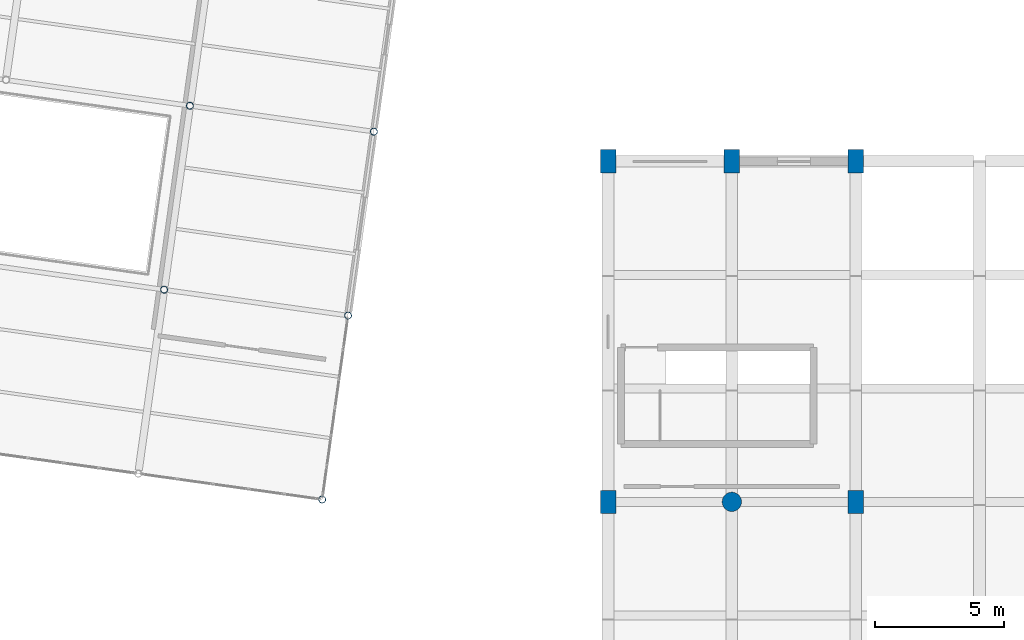
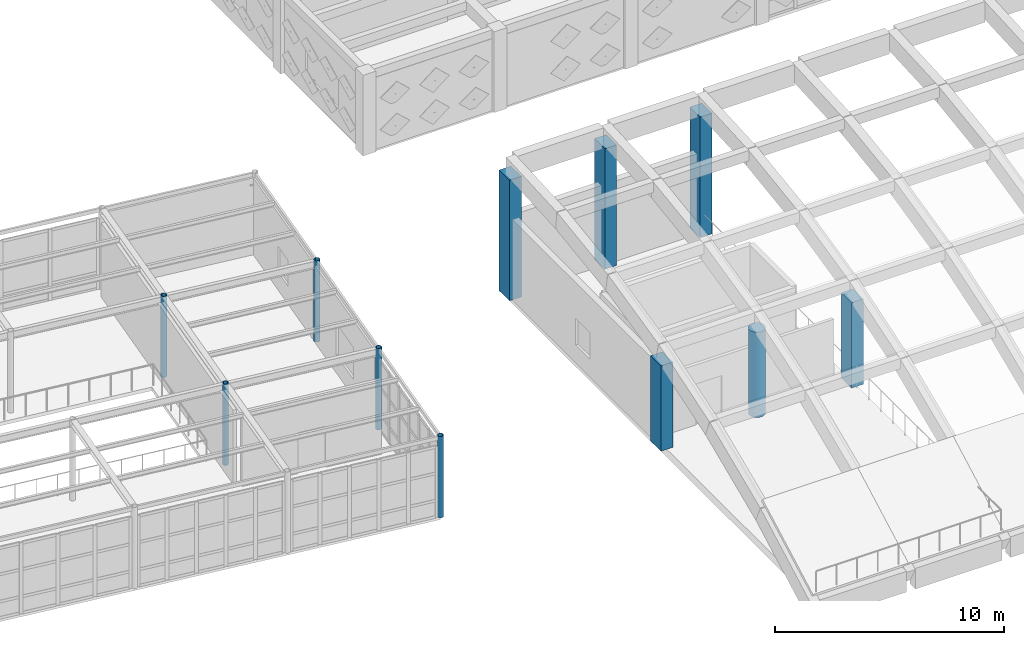
# One storey, part 3 of 67: 11 columns.
"""IFC4 building model written with IfcOpenShell, lengths in metres."""

from ifc_helpers import new_model, si_unit, direction, frame, origin, origin_2d, place, context, subcontext, project, spatial, rectangle, circle, hollow_circle, extrude, material, material_profile, profile_set, type_object, element, save


model = new_model("IFC4")

# Units and contexts
model_context = context("Model", 3, precision=1e-05, world=origin(), true_north=direction((0.0, 1.0)))
body_context = subcontext(model_context, "Body", "Model", "MODEL_VIEW")
ifc_project = project(units=[si_unit("LENGTHUNIT", "METRE"), si_unit("AREAUNIT", "SQUARE_METRE"), si_unit("VOLUMEUNIT", "CUBIC_METRE"), si_unit("PLANEANGLEUNIT", "RADIAN"), si_unit("MASSUNIT", "GRAM", prefix="KILO")], contexts=[model_context])

# Site, building, storey
site_placement = place(None, origin())
site = spatial("IfcSite", under=ifc_project, at=site_placement, CompositionType="ELEMENT")
building_placement = place(site_placement, origin())
building = spatial("IfcBuilding", under=site, at=building_placement, Name="Kharisveld Research Institute", CompositionType="ELEMENT")
storey_placement = place(building_placement, frame((0.0, 0.0, 9.60009765625)))
storey = spatial("IfcBuildingStorey", under=building, at=storey_placement, Name="L02", CompositionType="ELEMENT", Elevation=9.60009765625)

# Columns
ifc_material_1 = material(Name="Concrete C40/50", Category="concrete")
ifc_material_profile_1 = material_profile(ifc_material_1, rectangle(XDim=0.60009765625, YDim=0.89990234375, at=origin_2d()))
ifc_profile_set_1 = profile_set([ifc_material_profile_1], Name="Concrete C40/50")
column_type_1 = type_object("IfcColumnType", Name="COL_RC_600x900", PredefinedType="COLUMN", material=ifc_profile_set_1)
column_1_placement = place(storey_placement, frame((114.60009765625, 13.39990234375, 0.0), z_axis=(0.0, 0.0, 1.0), x_axis=(1.0, 0.0, 0.0)))
element("IfcColumn", 1, at=column_1_placement, inside=storey, type_object=column_type_1, Name="COL:V5:L02:U0V1", PredefinedType="COLUMN", context=body_context, shape_type="SweptSolid", body=[
    extrude(rectangle(XDim=0.60009765625, YDim=0.89990234375, at=origin_2d()), origin(), (0.0, 0.0, 1.0), 4.5390625),
])
for number, where, z_axis, x_axis, name in (
    (2, (114.60009765625, 26.60009765625, 0.0), (0.0, 0.0, 1.0), (1.0, 0.0, 0.0), "COL:V5:L02:U0V2"),
    (3, (119.39990234375, 26.60009765625, 0.0), (0.0, 0.0, 1.0), (1.0, 0.0, 0.0), "COL:V5:L02:U1V2"),
):
    element("IfcColumn", number, at=place(storey_placement, frame(where, z_axis=z_axis, x_axis=x_axis)), inside=storey, type_object=column_type_1, Name=name, PredefinedType="COLUMN", context=body_context, shape_type="SweptSolid", body=[
        extrude(rectangle(XDim=0.60009765625, YDim=0.89990234375, at=origin_2d()), origin(), (0.0, 0.0, 1.0), 6.419921875),
    ])
column_2_placement = place(storey_placement, frame((124.199951171875, 13.39990234375, 0.0), z_axis=(0.0, 0.0, 1.0), x_axis=(1.0, 0.0, 0.0)))
element("IfcColumn", 4, at=column_2_placement, inside=storey, type_object=column_type_1, Name="COL:V5:L02:U2V1", PredefinedType="COLUMN", context=body_context, shape_type="SweptSolid", body=[
    extrude(rectangle(XDim=0.60009765625, YDim=0.89990234375, at=origin_2d()), origin(), (0.0, 0.0, 1.0), 4.5390625),
])
column_3_placement = place(storey_placement, frame((124.199951171875, 26.60009765625, 0.0), z_axis=(0.0, 0.0, 1.0), x_axis=(1.0, 0.0, 0.0)))
element("IfcColumn", 5, at=column_3_placement, inside=storey, type_object=column_type_1, Name="COL:V5:L02:U2V2", PredefinedType="COLUMN", context=body_context, shape_type="SweptSolid", body=[
    extrude(rectangle(XDim=0.60009765625, YDim=0.89990234375, at=origin_2d()), origin(), (0.0, 0.0, 1.0), 6.419921875),
])
ifc_material_2 = material(Name="Concrete C40/50", Category="concrete")
ifc_material_profile_2 = material_profile(ifc_material_2, circle(Radius=0.375, at=origin_2d()))
ifc_profile_set_2 = profile_set([ifc_material_profile_2], Name="Concrete C40/50")
column_type_2 = type_object("IfcColumnType", Name="COL_RC_D750", PredefinedType="COLUMN", material=ifc_profile_set_2)
column_4_placement = place(storey_placement, frame((119.39990234375, 13.39990234375, 0.0), z_axis=(0.0, 0.0, 1.0), x_axis=(1.0, 0.0, 0.0)))
element("IfcColumn", 6, at=column_4_placement, inside=storey, type_object=column_type_2, Name="COL:V5:L02:U1V1", PredefinedType="COLUMN", context=body_context, shape_type="SweptSolid", body=[
    extrude(circle(Radius=0.375, at=origin_2d()), origin(), (0.0, 0.0, 1.0), 4.5390625),
])
ifc_material_3 = material(Name="Steel S355J2H", Category="steel")
ifc_material_profile_3 = material_profile(ifc_material_3, hollow_circle(Radius=0.136474609375, WallThickness=0.010009765625, at=origin_2d()))
ifc_profile_set_3 = profile_set([ifc_material_profile_3], Name="Steel S355J2H")
column_type_3 = type_object("IfcColumnType", Name="COL_ST_CHS273", PredefinedType="COLUMN", material=ifc_profile_set_3)
for number, where, z_axis, x_axis, name in (
    (7, (97.391845703125, 21.623779296875, 0.0), (0.0, 0.0, 1.0), (0.990268068742, -0.13917310096, 0.0), "COL:V4:L02:U3V1"),
    (8, (98.393798828125, 28.753662109375, 0.0), (0.0, 0.0, 1.0), (0.990268068742, -0.13917310096, 0.0), "COL:V4:L02:U3V2"),
    (9, (103.519775390625, 13.49169921875, 0.0), (0.0, 0.0, 1.0), (0.990268068742, -0.13917310096, 0.0), "COL:V4:L02:U4V0"),
    (10, (104.521728515625, 20.621826171875, 0.0), (0.0, 0.0, 1.0), (0.990268068742, -0.13917310096, 0.0), "COL:V4:L02:U4V1"),
    (11, (105.52392578125, 27.751708984375, 0.0), (0.0, 0.0, 1.0), (0.990268068742, -0.13917310096, 0.0), "COL:V4:L02:U4V2"),
):
    element("IfcColumn", number, at=place(storey_placement, frame(where, z_axis=z_axis, x_axis=x_axis)), inside=storey, type_object=column_type_3, Name=name, PredefinedType="COLUMN", context=body_context, shape_type="SweptSolid", body=[
        extrude(hollow_circle(Radius=0.136474609375, WallThickness=0.010009765625, at=origin_2d()), origin(), (0.0, 0.0, 1.0), 4.324951171875),
    ])

save(model, "model.ifc")
